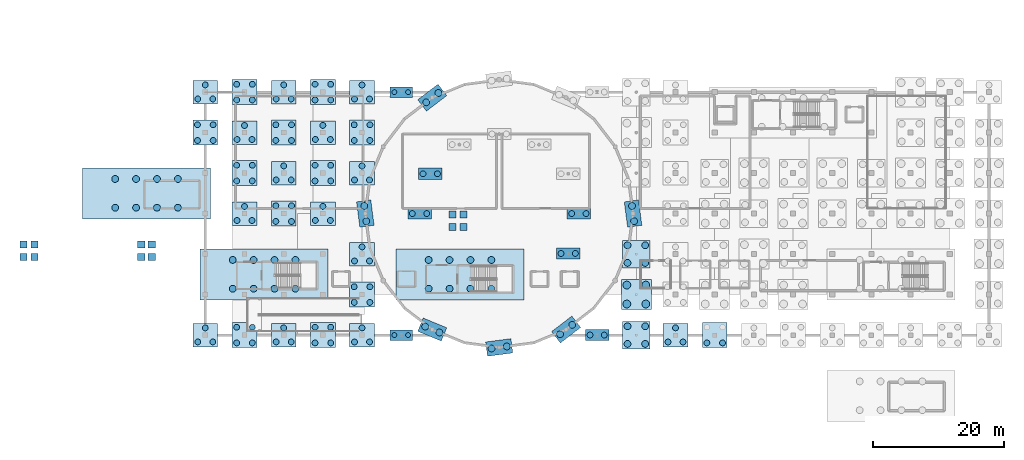
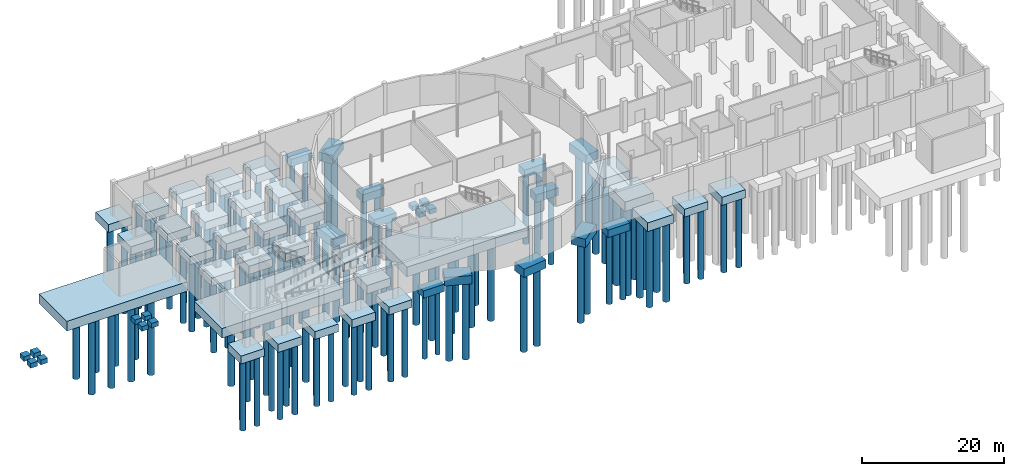
# One storey, part 1 of 19: 150 piles, 57 footings.
"""IFC4 building model written with IfcOpenShell, lengths in metres."""

from ifc_helpers import new_model, si_unit, direction, frame, origin, origin_2d, place, context, subcontext, project, spatial, rectangle, circle, extrude, material, layer, layer_set, material_profile, profile_set, type_object, element, save


model = new_model("IFC4")

# Units and contexts
model_context = context("Model", 3, precision=1e-05, world=origin(), true_north=direction((0.0, 1.0)))
body_context = subcontext(model_context, "Body", "Model", "MODEL_VIEW")
ifc_project = project(units=[si_unit("LENGTHUNIT", "METRE"), si_unit("AREAUNIT", "SQUARE_METRE"), si_unit("VOLUMEUNIT", "CUBIC_METRE"), si_unit("PLANEANGLEUNIT", "RADIAN"), si_unit("MASSUNIT", "GRAM", prefix="KILO")], contexts=[model_context])

# Site, building, storey
site_placement = place(None, origin())
site = spatial("IfcSite", under=ifc_project, at=site_placement, CompositionType="ELEMENT")
building_placement = place(site_placement, origin())
building = spatial("IfcBuilding", under=site, at=building_placement, Name="Mirzam Square Science Centre", CompositionType="ELEMENT")
storey_placement = place(building_placement, frame((0.0, 0.0, -5.39990234375)))
storey = spatial("IfcBuildingStorey", under=building, at=storey_placement, Name="B01", CompositionType="ELEMENT", Elevation=-5.39990234375)

# Footings
ifc_material = material(Name="Concrete C45/55", Category="concrete")
ifc_layer_1 = layer(ifc_material, 1.25)
ifc_layer_set_1 = layer_set([ifc_layer_1], Name="PC-2P-3400x1600")
footing_type_1 = type_object("IfcFootingType", Name="PC-2P-3400x1600", PredefinedType="PILE_CAP", material=ifc_layer_set_1)
for number, where, z_axis, x_axis, name in (
    (1, (66.0, 43.39990234375, -1.650146484375), (0.0, 0.0, 1.0), (1.0, 0.0, 0.0), "Pile cap G12-08"),
    (2, (66.0, 80.60009765625, -1.650146484375), (0.0, 0.0, 1.0), (1.0, 0.0, 0.0), "Pile cap G12-14"),
):
    element("IfcFooting", number, at=place(storey_placement, frame(where, z_axis=z_axis, x_axis=x_axis)), inside=storey, type_object=footing_type_1, Name=name, PredefinedType="PILE_CAP", context=body_context, shape_type="SweptSolid", body=[
        extrude(rectangle(XDim=3.39990234375, YDim=1.60009765625, at=origin_2d()), origin(), (0.0, 0.0, 1.0), 1.25),
    ])
ifc_layer_2 = layer(ifc_material, 1.300048828125)
ifc_layer_set_2 = layer_set([ifc_layer_2], Name="PC-2P-3600x1700")
footing_type_2 = type_object("IfcFootingType", Name="PC-2P-3600x1700", PredefinedType="PILE_CAP", material=ifc_layer_set_2)
for number, where, z_axis, x_axis, name in (
    (3, (96.0, 43.39990234375, -1.7001953125), (0.0, 0.0, 1.0), (1.0, 0.0, 0.0), "Pile cap G17-08"),
    (4, (93.199951171875, 62.0, -1.7001953125), (0.0, 0.0, 1.0), (1.0, 0.0, 0.0), "Inner drum cap 01"),
    (5, (70.4345703125, 68.10009765625, -1.7001953125), (0.0, 0.0, 1.0), (1.0, 0.0, 0.0), "Inner drum cap 06"),
    (6, (68.800048828125, 62.0, -1.7001953125), (0.0, 0.0, 1.0), (1.0, 0.0, 0.0), "Inner drum cap 07"),
    (7, (91.5654296875, 55.89990234375, -1.7001953125), (0.0, 0.0, 1.0), (1.0, 0.0, 0.0), "Inner drum cap 12"),
):
    element("IfcFooting", number, at=place(storey_placement, frame(where, z_axis=z_axis, x_axis=x_axis)), inside=storey, type_object=footing_type_2, Name=name, PredefinedType="PILE_CAP", context=body_context, shape_type="SweptSolid", body=[
        extrude(rectangle(XDim=3.60009765625, YDim=1.699951171875, at=origin_2d()), origin(), (0.0, 0.0, 1.0), 1.300048828125),
    ])
ifc_layer_3 = layer(ifc_material, 1.35009765625)
ifc_layer_set_3 = layer_set([ifc_layer_3], Name="PC-3P-3800x3400")
footing_type_3 = type_object("IfcFootingType", Name="PC-3P-3800x3400", PredefinedType="PILE_CAP", material=ifc_layer_set_3)
for number, where, z_axis, x_axis, name in (
    (8, (36.0, 43.39990234375, -1.750244140625), (0.0, 0.0, 1.0), (1.0, 0.0, 0.0), "Pile cap G07-08"),
    (9, (36.0, 80.60009765625, -1.750244140625), (0.0, 0.0, 1.0), (1.0, 0.0, 0.0), "Pile cap G07-14"),
    (10, (42.0, 62.0, -1.750244140625), (0.0, 0.0, 1.0), (1.0, 0.0, 0.0), "Pile cap G08-11"),
    (11, (42.0, 74.39990234375, -1.750244140625), (0.0, 0.0, 1.0), (1.0, 0.0, 0.0), "Pile cap G08-13"),
    (12, (48.0, 43.39990234375, -1.750244140625), (0.0, 0.0, 1.0), (1.0, 0.0, 0.0), "Pile cap G09-08"),
    (13, (48.0, 68.199951171875, -1.750244140625), (0.0, 0.0, 1.0), (1.0, 0.0, 0.0), "Pile cap G09-12"),
    (14, (48.0, 80.60009765625, -1.750244140625), (0.0, 0.0, 1.0), (1.0, 0.0, 0.0), "Pile cap G09-14"),
    (15, (54.0, 62.0, -1.750244140625), (0.0, 0.0, 1.0), (1.0, 0.0, 0.0), "Pile cap G10-11"),
    (16, (54.0, 74.39990234375, -1.750244140625), (0.0, 0.0, 1.0), (1.0, 0.0, 0.0), "Pile cap G10-13"),
    (17, (60.0, 43.39990234375, -1.750244140625), (0.0, 0.0, 1.0), (1.0, 0.0, 0.0), "Pile cap G11-08"),
    (18, (60.0, 55.800048828125, -1.750244140625), (0.0, 0.0, 1.0), (1.0, 0.0, 0.0), "Pile cap G11-10"),
    (19, (60.0, 68.199951171875, -1.750244140625), (0.0, 0.0, 1.0), (1.0, 0.0, 0.0), "Pile cap G11-12"),
    (20, (60.0, 80.60009765625, -1.750244140625), (0.0, 0.0, 1.0), (1.0, 0.0, 0.0), "Pile cap G11-14"),
    (21, (108.0, 43.39990234375, -1.750244140625), (0.0, 0.0, 1.0), (1.0, 0.0, 0.0), "Pile cap G19-08"),
):
    element("IfcFooting", number, at=place(storey_placement, frame(where, z_axis=z_axis, x_axis=x_axis)), inside=storey, type_object=footing_type_3, Name=name, PredefinedType="PILE_CAP", context=body_context, shape_type="SweptSolid", body=[
        extrude(rectangle(XDim=3.800048828125, YDim=3.60009765625, at=origin_2d()), origin(), (0.0, 0.0, 1.0), 1.35009765625),
    ])
ifc_layer_4 = layer(ifc_material, 1.39990234375)
ifc_layer_set_4 = layer_set([ifc_layer_4], Name="PC-4P-3800x3800")
footing_type_4 = type_object("IfcFootingType", Name="PC-4P-3800x3800", PredefinedType="PILE_CAP", material=ifc_layer_set_4)
for number, where, z_axis, x_axis, name in (
    (22, (36.0, 74.39990234375, -1.800048828125), (0.0, 0.0, 1.0), (1.0, 0.0, 0.0), "Pile cap G07-13"),
    (23, (42.0, 43.39990234375, -1.800048828125), (0.0, 0.0, 1.0), (1.0, 0.0, 0.0), "Pile cap G08-08"),
    (24, (42.0, 68.199951171875, -1.800048828125), (0.0, 0.0, 1.0), (1.0, 0.0, 0.0), "Pile cap G08-12"),
    (25, (42.0, 80.60009765625, -1.800048828125), (0.0, 0.0, 1.0), (1.0, 0.0, 0.0), "Pile cap G08-14"),
    (26, (48.0, 62.0, -1.800048828125), (0.0, 0.0, 1.0), (1.0, 0.0, 0.0), "Pile cap G09-11"),
    (27, (48.0, 74.39990234375, -1.800048828125), (0.0, 0.0, 1.0), (1.0, 0.0, 0.0), "Pile cap G09-13"),
    (28, (54.0, 43.39990234375, -1.800048828125), (0.0, 0.0, 1.0), (1.0, 0.0, 0.0), "Pile cap G10-08"),
    (29, (54.0, 68.199951171875, -1.800048828125), (0.0, 0.0, 1.0), (1.0, 0.0, 0.0), "Pile cap G10-12"),
    (30, (54.0, 80.60009765625, -1.800048828125), (0.0, 0.0, 1.0), (1.0, 0.0, 0.0), "Pile cap G10-14"),
    (31, (60.0, 49.60009765625, -1.800048828125), (0.0, 0.0, 1.0), (1.0, 0.0, 0.0), "Pile cap G11-09"),
    (32, (60.0, 74.39990234375, -1.800048828125), (0.0, 0.0, 1.0), (1.0, 0.0, 0.0), "Pile cap G11-13"),
    (33, (114.0, 43.39990234375, -1.800048828125), (0.0, 0.0, 1.0), (1.0, 0.0, 0.0), "Pile cap G20-08"),
):
    element("IfcFooting", number, at=place(storey_placement, frame(where, z_axis=z_axis, x_axis=x_axis)), inside=storey, type_object=footing_type_4, Name=name, PredefinedType="PILE_CAP", context=body_context, shape_type="SweptSolid", body=[
        extrude(rectangle(XDim=3.800048828125, YDim=3.800048828125, at=origin_2d()), origin(), (0.0, 0.0, 1.0), 1.39990234375),
    ])
ifc_layer_5 = layer(ifc_material, 1.5)
ifc_layer_set_5 = layer_set([ifc_layer_5], Name="PC-4P-4200x4200")
footing_type_5 = type_object("IfcFootingType", Name="PC-4P-4200x4200", PredefinedType="PILE_CAP", material=ifc_layer_set_5)
for number, where, z_axis, x_axis, name in (
    (34, (102.0, 43.39990234375, -1.900146484375), (0.0, 0.0, 1.0), (1.0, 0.0, 0.0), "Pile cap G18-08"),
    (35, (102.0, 55.800048828125, -1.900146484375), (0.0, 0.0, 1.0), (1.0, 0.0, 0.0), "Pile cap G18-10"),
):
    element("IfcFooting", number, at=place(storey_placement, frame(where, z_axis=z_axis, x_axis=x_axis)), inside=storey, type_object=footing_type_5, Name=name, PredefinedType="PILE_CAP", context=body_context, shape_type="SweptSolid", body=[
        extrude(rectangle(XDim=4.199951171875, YDim=4.199951171875, at=origin_2d()), origin(), (0.0, 0.0, 1.0), 1.5),
    ])
ifc_layer_6 = layer(ifc_material, 1.60009765625)
ifc_layer_set_6 = layer_set([ifc_layer_6], Name="PC-4P-4500x4500")
footing_type_6 = type_object("IfcFootingType", Name="PC-4P-4500x4500", PredefinedType="PILE_CAP", material=ifc_layer_set_6)
footing_placement = place(storey_placement, frame((102.0, 49.60009765625, -2.000244140625), z_axis=(0.0, 0.0, 1.0), x_axis=(1.0, 0.0, 0.0)))
element("IfcFooting", 36, at=footing_placement, inside=storey, type_object=footing_type_6, Name="Pile cap G18-09", PredefinedType="PILE_CAP", context=body_context, shape_type="SweptSolid", body=[
    extrude(rectangle(XDim=4.60009765625, YDim=4.60009765625, at=origin_2d()), origin(), (0.0, 0.0, 1.0), 1.60009765625),
])
ifc_layer_7 = layer(ifc_material, 1.64990234375)
ifc_layer_set_7 = layer_set([ifc_layer_7], Name="PC-CORE-13600x7600")
footing_type_7 = type_object("IfcFootingType", Name="PC-CORE-13600x7600", PredefinedType="PILE_CAP", material=ifc_layer_set_7)
for number, where, z_axis, x_axis, name in (
    (37, (45.0, 52.699951171875, -2.050048828125), (0.0, 0.0, 1.0), (1.0, 0.0, 0.0), "Core mat pile cap CORE-1"),
    (38, (27.0, 65.10009765625, -2.050048828125), (0.0, 0.0, 1.0), (1.0, 0.0, 0.0), "Core mat pile cap CORE-2"),
    (39, (75.0, 52.699951171875, -2.050048828125), (0.0, 0.0, 1.0), (1.0, 0.0, 0.0), "Core mat pile cap CORE-3"),
):
    element("IfcFooting", number, at=place(storey_placement, frame(where, z_axis=z_axis, x_axis=x_axis)), inside=storey, type_object=footing_type_7, Name=name, PredefinedType="PILE_CAP", context=body_context, shape_type="SweptSolid", body=[
        extrude(rectangle(XDim=19.60009765625, YDim=7.800048828125, at=origin_2d()), origin(), (0.0, 0.0, 1.0), 1.64990234375),
    ])
ifc_layer_8 = layer(ifc_material, 1.449951171875)
ifc_layer_set_8 = layer_set([ifc_layer_8], Name="PC-DRUM-3800x2200")
footing_type_8 = type_object("IfcFootingType", Name="PC-DRUM-3800x2200", PredefinedType="PILE_CAP", material=ifc_layer_set_8)
for number, where, z_axis, x_axis, name in (
    (40, (101.5, 62.0, -1.85009765625), (0.0, 0.0, 1.0), (-0.13052619222, 0.991444861374, 0.0), "Drum pile cap 01"),
    (41, (70.75, 79.75341796875, -1.85009765625), (0.0, 0.0, 1.0), (-0.793353340291, -0.608761429009, 0.0), "Drum pile cap 09"),
    (42, (60.5, 62.0, -1.85009765625), (0.0, 0.0, 1.0), (0.13052619222, -0.991444861374, 0.0), "Drum pile cap 13"),
    (43, (70.75, 44.24658203125, -1.85009765625), (0.0, 0.0, 1.0), (0.923879532511, -0.382683432365, 0.0), "Drum pile cap 17"),
    (44, (81.0, 41.5, -1.85009765625), (0.0, 0.0, 1.0), (0.991444861374, 0.13052619222, 0.0), "Drum pile cap 19"),
    (45, (91.25, 44.24658203125, -1.85009765625), (0.0, 0.0, 1.0), (0.793353340291, 0.608761429009, 0.0), "Drum pile cap 21"),
):
    element("IfcFooting", number, at=place(storey_placement, frame(where, z_axis=z_axis, x_axis=x_axis)), inside=storey, type_object=footing_type_8, Name=name, PredefinedType="PILE_CAP", context=body_context, shape_type="SweptSolid", body=[
        extrude(rectangle(XDim=3.89990234375, YDim=2.199951171875, at=origin_2d()), origin(), (0.0, 0.0, 1.0), 1.449951171875),
    ])
ifc_layer_9 = layer(ifc_material, 0.800048828125)
ifc_layer_set_9 = layer_set([ifc_layer_9], Name="PF-COL-1800")
footing_type_9 = type_object("IfcFootingType", Name="PF-COL-1800", PredefinedType="PAD_FOOTING", material=ifc_layer_set_9)
for number, where, z_axis, x_axis, name in (
    (46, (73.85009765625, 59.949951171875, -1.2001953125), (0.0, 0.0, 1.0), (1.0, 0.0, 0.0), "ST-07 landing post footing 1"),
    (47, (75.550048828125, 59.949951171875, -1.2001953125), (0.0, 0.0, 1.0), (1.0, 0.0, 0.0), "ST-07 landing post footing 2"),
    (48, (73.85009765625, 61.85009765625, -1.2001953125), (0.0, 0.0, 1.0), (1.0, 0.0, 0.0), "ST-07 landing post footing 3"),
    (49, (75.550048828125, 61.85009765625, -1.2001953125), (0.0, 0.0, 1.0), (1.0, 0.0, 0.0), "ST-07 landing post footing 4"),
    (50, (8.175048828125, 55.35009765625, -1.2001953125), (0.0, 0.0, 1.0), (1.0, 0.0, 0.0), "ST-08 landing post footing 1"),
    (51, (9.824951171875, 55.35009765625, -1.2001953125), (0.0, 0.0, 1.0), (1.0, 0.0, 0.0), "ST-08 landing post footing 2"),
    (52, (8.175048828125, 57.25, -1.2001953125), (0.0, 0.0, 1.0), (1.0, 0.0, 0.0), "ST-08 landing post footing 3"),
    (53, (9.824951171875, 57.25, -1.2001953125), (0.0, 0.0, 1.0), (1.0, 0.0, 0.0), "ST-08 landing post footing 4"),
    (54, (26.199951171875, 55.35009765625, -1.2001953125), (0.0, 0.0, 1.0), (1.0, 0.0, 0.0), "ST-09 landing post footing 1"),
    (55, (27.800048828125, 55.35009765625, -1.2001953125), (0.0, 0.0, 1.0), (1.0, 0.0, 0.0), "ST-09 landing post footing 2"),
    (56, (26.199951171875, 57.25, -1.2001953125), (0.0, 0.0, 1.0), (1.0, 0.0, 0.0), "ST-09 landing post footing 3"),
    (57, (27.800048828125, 57.25, -1.2001953125), (0.0, 0.0, 1.0), (1.0, 0.0, 0.0), "ST-09 landing post footing 4"),
):
    element("IfcFooting", number, at=place(storey_placement, frame(where, z_axis=z_axis, x_axis=x_axis)), inside=storey, type_object=footing_type_9, Name=name, PredefinedType="PAD_FOOTING", context=body_context, shape_type="SweptSolid", body=[
        extrude(rectangle(XDim=1.10009765625, YDim=1.10009765625, at=origin_2d()), origin(), (0.0, 0.0, 1.0), 0.800048828125),
    ])

# Piles
ifc_material_profile_1 = material_profile(ifc_material, circle(Radius=0.52490234375, at=origin_2d()), Name="PILE-D1050")
ifc_profile_set_1 = profile_set([ifc_material_profile_1], Name="Concrete C45/55")
pile_type_1 = type_object("IfcPileType", Name="PL-1050", PredefinedType="BORED", material=ifc_profile_set_1)
for number, where, z_axis, x_axis, name in (
    (58, (40.199951171875, 50.5, -1.9501953125), (0.0, 0.0, -1.0), (1.0, 0.0, 0.0), "Core pile CORE-1-1"),
    (59, (43.39990234375, 50.5, -1.9501953125), (0.0, 0.0, -1.0), (1.0, 0.0, 0.0), "Core pile CORE-1-2"),
    (60, (46.60009765625, 50.5, -1.9501953125), (0.0, 0.0, -1.0), (1.0, 0.0, 0.0), "Core pile CORE-1-3"),
    (61, (49.800048828125, 50.5, -1.9501953125), (0.0, 0.0, -1.0), (1.0, 0.0, 0.0), "Core pile CORE-1-4"),
    (62, (40.199951171875, 54.89990234375, -1.9501953125), (0.0, 0.0, -1.0), (1.0, 0.0, 0.0), "Core pile CORE-1-5"),
    (63, (43.39990234375, 54.89990234375, -1.9501953125), (0.0, 0.0, -1.0), (1.0, 0.0, 0.0), "Core pile CORE-1-6"),
    (64, (46.60009765625, 54.89990234375, -1.9501953125), (0.0, 0.0, -1.0), (1.0, 0.0, 0.0), "Core pile CORE-1-7"),
    (65, (49.800048828125, 54.89990234375, -1.9501953125), (0.0, 0.0, -1.0), (1.0, 0.0, 0.0), "Core pile CORE-1-8"),
    (66, (22.199951171875, 62.89990234375, -1.9501953125), (0.0, 0.0, -1.0), (1.0, 0.0, 0.0), "Core pile CORE-2-1"),
    (67, (25.39990234375, 62.89990234375, -1.9501953125), (0.0, 0.0, -1.0), (1.0, 0.0, 0.0), "Core pile CORE-2-2"),
    (68, (28.60009765625, 62.89990234375, -1.9501953125), (0.0, 0.0, -1.0), (1.0, 0.0, 0.0), "Core pile CORE-2-3"),
    (69, (31.800048828125, 62.89990234375, -1.9501953125), (0.0, 0.0, -1.0), (1.0, 0.0, 0.0), "Core pile CORE-2-4"),
    (70, (22.199951171875, 67.300048828125, -1.9501953125), (0.0, 0.0, -1.0), (1.0, 0.0, 0.0), "Core pile CORE-2-5"),
    (71, (25.39990234375, 67.300048828125, -1.9501953125), (0.0, 0.0, -1.0), (1.0, 0.0, 0.0), "Core pile CORE-2-6"),
    (72, (28.60009765625, 67.300048828125, -1.9501953125), (0.0, 0.0, -1.0), (1.0, 0.0, 0.0), "Core pile CORE-2-7"),
    (73, (31.800048828125, 67.300048828125, -1.9501953125), (0.0, 0.0, -1.0), (1.0, 0.0, 0.0), "Core pile CORE-2-8"),
    (74, (70.199951171875, 50.5, -1.9501953125), (0.0, 0.0, -1.0), (1.0, 0.0, 0.0), "Core pile CORE-3-1"),
    (75, (73.39990234375, 50.5, -1.9501953125), (0.0, 0.0, -1.0), (1.0, 0.0, 0.0), "Core pile CORE-3-2"),
    (76, (76.60009765625, 50.5, -1.9501953125), (0.0, 0.0, -1.0), (1.0, 0.0, 0.0), "Core pile CORE-3-3"),
    (77, (79.800048828125, 50.5, -1.9501953125), (0.0, 0.0, -1.0), (1.0, 0.0, 0.0), "Core pile CORE-3-4"),
    (78, (70.199951171875, 54.89990234375, -1.9501953125), (0.0, 0.0, -1.0), (1.0, 0.0, 0.0), "Core pile CORE-3-5"),
    (79, (73.39990234375, 54.89990234375, -1.9501953125), (0.0, 0.0, -1.0), (1.0, 0.0, 0.0), "Core pile CORE-3-6"),
    (80, (76.60009765625, 54.89990234375, -1.9501953125), (0.0, 0.0, -1.0), (1.0, 0.0, 0.0), "Core pile CORE-3-7"),
    (81, (79.800048828125, 54.89990234375, -1.9501953125), (0.0, 0.0, -1.0), (1.0, 0.0, 0.0), "Core pile CORE-3-8"),
    (82, (100.64990234375, 42.050048828125, -1.800048828125), (0.0, 0.0, -1.0), (1.0, 0.0, 0.0), "Bored pile G18-08-1"),
    (83, (103.35009765625, 42.050048828125, -1.800048828125), (0.0, 0.0, -1.0), (1.0, 0.0, 0.0), "Bored pile G18-08-2"),
    (84, (100.64990234375, 44.75, -1.800048828125), (0.0, 0.0, -1.0), (1.0, 0.0, 0.0), "Bored pile G18-08-3"),
    (85, (103.35009765625, 44.75, -1.800048828125), (0.0, 0.0, -1.0), (1.0, 0.0, 0.0), "Bored pile G18-08-4"),
    (86, (100.64990234375, 54.449951171875, -1.800048828125), (0.0, 0.0, -1.0), (1.0, 0.0, 0.0), "Bored pile G18-10-1"),
    (87, (103.35009765625, 54.449951171875, -1.800048828125), (0.0, 0.0, -1.0), (1.0, 0.0, 0.0), "Bored pile G18-10-2"),
    (88, (100.64990234375, 57.14990234375, -1.800048828125), (0.0, 0.0, -1.0), (1.0, 0.0, 0.0), "Bored pile G18-10-3"),
    (89, (103.35009765625, 57.14990234375, -1.800048828125), (0.0, 0.0, -1.0), (1.0, 0.0, 0.0), "Bored pile G18-10-4"),
    (90, (101.6533203125, 60.835205078125, -1.75), (0.0, 0.0, -1.0), (1.0, 0.0, 0.0), "Drum pile 01-1"),
    (91, (101.3466796875, 63.164794921875, -1.75), (0.0, 0.0, -1.0), (1.0, 0.0, 0.0), "Drum pile 01-2"),
    (92, (71.68212890625, 80.46875, -1.75), (0.0, 0.0, -1.0), (1.0, 0.0, 0.0), "Drum pile 09-1"),
    (93, (69.81787109375, 79.0380859375, -1.75), (0.0, 0.0, -1.0), (1.0, 0.0, 0.0), "Drum pile 09-2"),
    (94, (60.3466796875, 63.164794921875, -1.75), (0.0, 0.0, -1.0), (1.0, 0.0, 0.0), "Drum pile 13-1"),
    (95, (60.6533203125, 60.835205078125, -1.75), (0.0, 0.0, -1.0), (1.0, 0.0, 0.0), "Drum pile 13-2"),
    (96, (69.664306640625, 44.6962890625, -1.75), (0.0, 0.0, -1.0), (1.0, 0.0, 0.0), "Drum pile 17-1"),
    (97, (71.835693359375, 43.796875, -1.75), (0.0, 0.0, -1.0), (1.0, 0.0, 0.0), "Drum pile 17-2"),
    (98, (79.835205078125, 41.3466796875, -1.75), (0.0, 0.0, -1.0), (1.0, 0.0, 0.0), "Drum pile 19-1"),
    (99, (82.164794921875, 41.6533203125, -1.75), (0.0, 0.0, -1.0), (1.0, 0.0, 0.0), "Drum pile 19-2"),
    (100, (90.31787109375, 43.53125, -1.75), (0.0, 0.0, -1.0), (1.0, 0.0, 0.0), "Drum pile 21-1"),
    (101, (92.18212890625, 44.9619140625, -1.75), (0.0, 0.0, -1.0), (1.0, 0.0, 0.0), "Drum pile 21-2"),
):
    element("IfcPile", number, at=place(storey_placement, frame(where, z_axis=z_axis, x_axis=x_axis)), inside=storey, type_object=pile_type_1, Name=name, PredefinedType="BORED", context=body_context, shape_type="SweptSolid", body=[
        extrude(circle(Radius=0.52490234375, at=origin_2d()), origin(), (0.0, 0.0, 1.0), 13.5),
    ])
ifc_material_profile_2 = material_profile(ifc_material, circle(Radius=0.60009765625, at=origin_2d()), Name="PILE-D1200")
ifc_profile_set_2 = profile_set([ifc_material_profile_2], Name="Concrete C45/55")
pile_type_2 = type_object("IfcPileType", Name="PL-1200", PredefinedType="BORED", material=ifc_profile_set_2)
for number, where, z_axis, x_axis, name in (
    (102, (100.550048828125, 48.14990234375, -1.900146484375), (0.0, 0.0, -1.0), (1.0, 0.0, 0.0), "Bored pile G18-09-1"),
    (103, (103.449951171875, 48.14990234375, -1.900146484375), (0.0, 0.0, -1.0), (1.0, 0.0, 0.0), "Bored pile G18-09-2"),
    (104, (100.550048828125, 51.050048828125, -1.900146484375), (0.0, 0.0, -1.0), (1.0, 0.0, 0.0), "Bored pile G18-09-3"),
    (105, (103.449951171875, 51.050048828125, -1.900146484375), (0.0, 0.0, -1.0), (1.0, 0.0, 0.0), "Bored pile G18-09-4"),
):
    element("IfcPile", number, at=place(storey_placement, frame(where, z_axis=z_axis, x_axis=x_axis)), inside=storey, type_object=pile_type_2, Name=name, PredefinedType="BORED", context=body_context, shape_type="SweptSolid", body=[
        extrude(circle(Radius=0.60009765625, at=origin_2d()), origin(), (0.0, 0.0, 1.0), 15.0),
    ])
ifc_material_profile_3 = material_profile(ifc_material, circle(Radius=0.375, at=origin_2d()), Name="PILE-D750")
ifc_profile_set_3 = profile_set([ifc_material_profile_3], Name="Concrete C45/55")
pile_type_3 = type_object("IfcPileType", Name="PL-750", PredefinedType="BORED", material=ifc_profile_set_3)
for number, where, z_axis, x_axis, name in (
    (106, (64.949951171875, 43.39990234375, -1.550048828125), (0.0, 0.0, -1.0), (1.0, 0.0, 0.0), "Bored pile G12-08-1"),
    (107, (67.050048828125, 43.39990234375, -1.550048828125), (0.0, 0.0, -1.0), (1.0, 0.0, 0.0), "Bored pile G12-08-2"),
    (108, (64.949951171875, 80.60009765625, -1.550048828125), (0.0, 0.0, -1.0), (1.0, 0.0, 0.0), "Bored pile G12-14-1"),
    (109, (67.050048828125, 80.60009765625, -1.550048828125), (0.0, 0.0, -1.0), (1.0, 0.0, 0.0), "Bored pile G12-14-2"),
):
    element("IfcPile", number, at=place(storey_placement, frame(where, z_axis=z_axis, x_axis=x_axis)), inside=storey, type_object=pile_type_3, Name=name, PredefinedType="BORED", context=body_context, shape_type="SweptSolid", body=[
        extrude(circle(Radius=0.375, at=origin_2d()), origin(), (0.0, 0.0, 1.0), 11.0),
    ])
ifc_material_profile_4 = material_profile(ifc_material, circle(Radius=0.449951171875, at=origin_2d()), Name="PILE-D900")
ifc_profile_set_4 = profile_set([ifc_material_profile_4], Name="Concrete C45/55")
pile_type_4 = type_object("IfcPileType", Name="PL-900", PredefinedType="BORED", material=ifc_profile_set_4)
for number, where, z_axis, x_axis, name in (
    (110, (34.85009765625, 42.35009765625, -1.650146484375), (0.0, 0.0, -1.0), (1.0, 0.0, 0.0), "Bored pile G07-08-1"),
    (111, (37.14990234375, 42.35009765625, -1.650146484375), (0.0, 0.0, -1.0), (1.0, 0.0, 0.0), "Bored pile G07-08-2"),
    (112, (36.0, 44.5, -1.650146484375), (0.0, 0.0, -1.0), (1.0, 0.0, 0.0), "Bored pile G07-08-3"),
    (113, (34.800048828125, 73.199951171875, -1.7001953125), (0.0, 0.0, -1.0), (1.0, 0.0, 0.0), "Bored pile G07-13-1"),
    (114, (37.199951171875, 73.199951171875, -1.7001953125), (0.0, 0.0, -1.0), (1.0, 0.0, 0.0), "Bored pile G07-13-2"),
    (115, (34.800048828125, 75.60009765625, -1.7001953125), (0.0, 0.0, -1.0), (1.0, 0.0, 0.0), "Bored pile G07-13-3"),
    (116, (37.199951171875, 75.60009765625, -1.7001953125), (0.0, 0.0, -1.0), (1.0, 0.0, 0.0), "Bored pile G07-13-4"),
    (117, (34.85009765625, 79.550048828125, -1.650146484375), (0.0, 0.0, -1.0), (1.0, 0.0, 0.0), "Bored pile G07-14-1"),
    (118, (37.14990234375, 79.550048828125, -1.650146484375), (0.0, 0.0, -1.0), (1.0, 0.0, 0.0), "Bored pile G07-14-2"),
    (119, (36.0, 81.699951171875, -1.650146484375), (0.0, 0.0, -1.0), (1.0, 0.0, 0.0), "Bored pile G07-14-3"),
    (120, (40.800048828125, 42.199951171875, -1.7001953125), (0.0, 0.0, -1.0), (1.0, 0.0, 0.0), "Bored pile G08-08-1"),
    (121, (43.199951171875, 42.199951171875, -1.7001953125), (0.0, 0.0, -1.0), (1.0, 0.0, 0.0), "Bored pile G08-08-2"),
    (122, (40.800048828125, 44.60009765625, -1.7001953125), (0.0, 0.0, -1.0), (1.0, 0.0, 0.0), "Bored pile G08-08-3"),
    (123, (43.199951171875, 44.60009765625, -1.7001953125), (0.0, 0.0, -1.0), (1.0, 0.0, 0.0), "Bored pile G08-08-4"),
    (124, (40.85009765625, 60.949951171875, -1.650146484375), (0.0, 0.0, -1.0), (1.0, 0.0, 0.0), "Bored pile G08-11-1"),
    (125, (43.14990234375, 60.949951171875, -1.650146484375), (0.0, 0.0, -1.0), (1.0, 0.0, 0.0), "Bored pile G08-11-2"),
    (126, (42.0, 63.10009765625, -1.650146484375), (0.0, 0.0, -1.0), (1.0, 0.0, 0.0), "Bored pile G08-11-3"),
    (127, (40.800048828125, 67.0, -1.7001953125), (0.0, 0.0, -1.0), (1.0, 0.0, 0.0), "Bored pile G08-12-1"),
    (128, (43.199951171875, 67.0, -1.7001953125), (0.0, 0.0, -1.0), (1.0, 0.0, 0.0), "Bored pile G08-12-2"),
    (129, (40.800048828125, 69.39990234375, -1.7001953125), (0.0, 0.0, -1.0), (1.0, 0.0, 0.0), "Bored pile G08-12-3"),
    (130, (43.199951171875, 69.39990234375, -1.7001953125), (0.0, 0.0, -1.0), (1.0, 0.0, 0.0), "Bored pile G08-12-4"),
    (131, (40.85009765625, 73.35009765625, -1.650146484375), (0.0, 0.0, -1.0), (1.0, 0.0, 0.0), "Bored pile G08-13-1"),
    (132, (43.14990234375, 73.35009765625, -1.650146484375), (0.0, 0.0, -1.0), (1.0, 0.0, 0.0), "Bored pile G08-13-2"),
    (133, (42.0, 75.5, -1.650146484375), (0.0, 0.0, -1.0), (1.0, 0.0, 0.0), "Bored pile G08-13-3"),
    (134, (40.800048828125, 79.39990234375, -1.7001953125), (0.0, 0.0, -1.0), (1.0, 0.0, 0.0), "Bored pile G08-14-1"),
    (135, (43.199951171875, 79.39990234375, -1.7001953125), (0.0, 0.0, -1.0), (1.0, 0.0, 0.0), "Bored pile G08-14-2"),
    (136, (40.800048828125, 81.800048828125, -1.7001953125), (0.0, 0.0, -1.0), (1.0, 0.0, 0.0), "Bored pile G08-14-3"),
    (137, (43.199951171875, 81.800048828125, -1.7001953125), (0.0, 0.0, -1.0), (1.0, 0.0, 0.0), "Bored pile G08-14-4"),
    (138, (46.85009765625, 42.35009765625, -1.650146484375), (0.0, 0.0, -1.0), (1.0, 0.0, 0.0), "Bored pile G09-08-1"),
    (139, (49.14990234375, 42.35009765625, -1.650146484375), (0.0, 0.0, -1.0), (1.0, 0.0, 0.0), "Bored pile G09-08-2"),
    (140, (48.0, 44.5, -1.650146484375), (0.0, 0.0, -1.0), (1.0, 0.0, 0.0), "Bored pile G09-08-3"),
    (141, (46.800048828125, 60.800048828125, -1.7001953125), (0.0, 0.0, -1.0), (1.0, 0.0, 0.0), "Bored pile G09-11-1"),
    (142, (49.199951171875, 60.800048828125, -1.7001953125), (0.0, 0.0, -1.0), (1.0, 0.0, 0.0), "Bored pile G09-11-2"),
    (143, (46.800048828125, 63.199951171875, -1.7001953125), (0.0, 0.0, -1.0), (1.0, 0.0, 0.0), "Bored pile G09-11-3"),
    (144, (49.199951171875, 63.199951171875, -1.7001953125), (0.0, 0.0, -1.0), (1.0, 0.0, 0.0), "Bored pile G09-11-4"),
    (145, (46.85009765625, 67.14990234375, -1.650146484375), (0.0, 0.0, -1.0), (1.0, 0.0, 0.0), "Bored pile G09-12-1"),
    (146, (49.14990234375, 67.14990234375, -1.650146484375), (0.0, 0.0, -1.0), (1.0, 0.0, 0.0), "Bored pile G09-12-2"),
    (147, (48.0, 69.300048828125, -1.650146484375), (0.0, 0.0, -1.0), (1.0, 0.0, 0.0), "Bored pile G09-12-3"),
    (148, (46.800048828125, 73.199951171875, -1.7001953125), (0.0, 0.0, -1.0), (1.0, 0.0, 0.0), "Bored pile G09-13-1"),
    (149, (49.199951171875, 73.199951171875, -1.7001953125), (0.0, 0.0, -1.0), (1.0, 0.0, 0.0), "Bored pile G09-13-2"),
    (150, (46.800048828125, 75.60009765625, -1.7001953125), (0.0, 0.0, -1.0), (1.0, 0.0, 0.0), "Bored pile G09-13-3"),
    (151, (49.199951171875, 75.60009765625, -1.7001953125), (0.0, 0.0, -1.0), (1.0, 0.0, 0.0), "Bored pile G09-13-4"),
    (152, (46.85009765625, 79.550048828125, -1.650146484375), (0.0, 0.0, -1.0), (1.0, 0.0, 0.0), "Bored pile G09-14-1"),
    (153, (49.14990234375, 79.550048828125, -1.650146484375), (0.0, 0.0, -1.0), (1.0, 0.0, 0.0), "Bored pile G09-14-2"),
    (154, (48.0, 81.699951171875, -1.650146484375), (0.0, 0.0, -1.0), (1.0, 0.0, 0.0), "Bored pile G09-14-3"),
    (155, (52.800048828125, 42.199951171875, -1.7001953125), (0.0, 0.0, -1.0), (1.0, 0.0, 0.0), "Bored pile G10-08-1"),
    (156, (55.199951171875, 42.199951171875, -1.7001953125), (0.0, 0.0, -1.0), (1.0, 0.0, 0.0), "Bored pile G10-08-2"),
    (157, (52.800048828125, 44.60009765625, -1.7001953125), (0.0, 0.0, -1.0), (1.0, 0.0, 0.0), "Bored pile G10-08-3"),
    (158, (55.199951171875, 44.60009765625, -1.7001953125), (0.0, 0.0, -1.0), (1.0, 0.0, 0.0), "Bored pile G10-08-4"),
    (159, (52.85009765625, 60.949951171875, -1.650146484375), (0.0, 0.0, -1.0), (1.0, 0.0, 0.0), "Bored pile G10-11-1"),
    (160, (55.14990234375, 60.949951171875, -1.650146484375), (0.0, 0.0, -1.0), (1.0, 0.0, 0.0), "Bored pile G10-11-2"),
    (161, (54.0, 63.10009765625, -1.650146484375), (0.0, 0.0, -1.0), (1.0, 0.0, 0.0), "Bored pile G10-11-3"),
    (162, (52.800048828125, 67.0, -1.7001953125), (0.0, 0.0, -1.0), (1.0, 0.0, 0.0), "Bored pile G10-12-1"),
    (163, (55.199951171875, 67.0, -1.7001953125), (0.0, 0.0, -1.0), (1.0, 0.0, 0.0), "Bored pile G10-12-2"),
    (164, (52.800048828125, 69.39990234375, -1.7001953125), (0.0, 0.0, -1.0), (1.0, 0.0, 0.0), "Bored pile G10-12-3"),
    (165, (55.199951171875, 69.39990234375, -1.7001953125), (0.0, 0.0, -1.0), (1.0, 0.0, 0.0), "Bored pile G10-12-4"),
    (166, (52.85009765625, 73.35009765625, -1.650146484375), (0.0, 0.0, -1.0), (1.0, 0.0, 0.0), "Bored pile G10-13-1"),
    (167, (55.14990234375, 73.35009765625, -1.650146484375), (0.0, 0.0, -1.0), (1.0, 0.0, 0.0), "Bored pile G10-13-2"),
    (168, (54.0, 75.5, -1.650146484375), (0.0, 0.0, -1.0), (1.0, 0.0, 0.0), "Bored pile G10-13-3"),
    (169, (52.800048828125, 79.39990234375, -1.7001953125), (0.0, 0.0, -1.0), (1.0, 0.0, 0.0), "Bored pile G10-14-1"),
    (170, (55.199951171875, 79.39990234375, -1.7001953125), (0.0, 0.0, -1.0), (1.0, 0.0, 0.0), "Bored pile G10-14-2"),
    (171, (52.800048828125, 81.800048828125, -1.7001953125), (0.0, 0.0, -1.0), (1.0, 0.0, 0.0), "Bored pile G10-14-3"),
    (172, (55.199951171875, 81.800048828125, -1.7001953125), (0.0, 0.0, -1.0), (1.0, 0.0, 0.0), "Bored pile G10-14-4"),
    (173, (58.85009765625, 42.35009765625, -1.650146484375), (0.0, 0.0, -1.0), (1.0, 0.0, 0.0), "Bored pile G11-08-1"),
    (174, (61.14990234375, 42.35009765625, -1.650146484375), (0.0, 0.0, -1.0), (1.0, 0.0, 0.0), "Bored pile G11-08-2"),
    (175, (60.0, 44.5, -1.650146484375), (0.0, 0.0, -1.0), (1.0, 0.0, 0.0), "Bored pile G11-08-3"),
    (176, (58.800048828125, 48.39990234375, -1.7001953125), (0.0, 0.0, -1.0), (1.0, 0.0, 0.0), "Bored pile G11-09-1"),
    (177, (61.199951171875, 48.39990234375, -1.7001953125), (0.0, 0.0, -1.0), (1.0, 0.0, 0.0), "Bored pile G11-09-2"),
    (178, (58.800048828125, 50.800048828125, -1.7001953125), (0.0, 0.0, -1.0), (1.0, 0.0, 0.0), "Bored pile G11-09-3"),
    (179, (61.199951171875, 50.800048828125, -1.7001953125), (0.0, 0.0, -1.0), (1.0, 0.0, 0.0), "Bored pile G11-09-4"),
    (180, (58.85009765625, 54.75, -1.650146484375), (0.0, 0.0, -1.0), (1.0, 0.0, 0.0), "Bored pile G11-10-1"),
    (181, (61.14990234375, 54.75, -1.650146484375), (0.0, 0.0, -1.0), (1.0, 0.0, 0.0), "Bored pile G11-10-2"),
    (182, (60.0, 56.89990234375, -1.650146484375), (0.0, 0.0, -1.0), (1.0, 0.0, 0.0), "Bored pile G11-10-3"),
    (183, (58.85009765625, 67.14990234375, -1.650146484375), (0.0, 0.0, -1.0), (1.0, 0.0, 0.0), "Bored pile G11-12-1"),
    (184, (61.14990234375, 67.14990234375, -1.650146484375), (0.0, 0.0, -1.0), (1.0, 0.0, 0.0), "Bored pile G11-12-2"),
    (185, (60.0, 69.300048828125, -1.650146484375), (0.0, 0.0, -1.0), (1.0, 0.0, 0.0), "Bored pile G11-12-3"),
    (186, (58.800048828125, 73.199951171875, -1.7001953125), (0.0, 0.0, -1.0), (1.0, 0.0, 0.0), "Bored pile G11-13-1"),
    (187, (61.199951171875, 73.199951171875, -1.7001953125), (0.0, 0.0, -1.0), (1.0, 0.0, 0.0), "Bored pile G11-13-2"),
    (188, (58.800048828125, 75.60009765625, -1.7001953125), (0.0, 0.0, -1.0), (1.0, 0.0, 0.0), "Bored pile G11-13-3"),
    (189, (61.199951171875, 75.60009765625, -1.7001953125), (0.0, 0.0, -1.0), (1.0, 0.0, 0.0), "Bored pile G11-13-4"),
    (190, (58.85009765625, 79.550048828125, -1.650146484375), (0.0, 0.0, -1.0), (1.0, 0.0, 0.0), "Bored pile G11-14-1"),
    (191, (61.14990234375, 79.550048828125, -1.650146484375), (0.0, 0.0, -1.0), (1.0, 0.0, 0.0), "Bored pile G11-14-2"),
    (192, (60.0, 81.699951171875, -1.650146484375), (0.0, 0.0, -1.0), (1.0, 0.0, 0.0), "Bored pile G11-14-3"),
    (193, (94.89990234375, 43.39990234375, -1.60009765625), (0.0, 0.0, -1.0), (1.0, 0.0, 0.0), "Bored pile G17-08-1"),
    (194, (97.10009765625, 43.39990234375, -1.60009765625), (0.0, 0.0, -1.0), (1.0, 0.0, 0.0), "Bored pile G17-08-2"),
    (195, (106.85009765625, 42.35009765625, -1.650146484375), (0.0, 0.0, -1.0), (1.0, 0.0, 0.0), "Bored pile G19-08-1"),
    (196, (109.14990234375, 42.35009765625, -1.650146484375), (0.0, 0.0, -1.0), (1.0, 0.0, 0.0), "Bored pile G19-08-2"),
    (197, (108.0, 44.5, -1.650146484375), (0.0, 0.0, -1.0), (1.0, 0.0, 0.0), "Bored pile G19-08-3"),
    (198, (112.800048828125, 42.199951171875, -1.7001953125), (0.0, 0.0, -1.0), (1.0, 0.0, 0.0), "Bored pile G20-08-1"),
    (199, (115.199951171875, 42.199951171875, -1.7001953125), (0.0, 0.0, -1.0), (1.0, 0.0, 0.0), "Bored pile G20-08-2"),
    (200, (92.10009765625, 62.0, -1.60009765625), (0.0, 0.0, -1.0), (1.0, 0.0, 0.0), "Inner drum pile 01-1"),
    (201, (94.300048828125, 62.0, -1.60009765625), (0.0, 0.0, -1.0), (1.0, 0.0, 0.0), "Inner drum pile 01-2"),
    (202, (69.33447265625, 68.10009765625, -1.60009765625), (0.0, 0.0, -1.0), (1.0, 0.0, 0.0), "Inner drum pile 06-1"),
    (203, (71.534423828125, 68.10009765625, -1.60009765625), (0.0, 0.0, -1.0), (1.0, 0.0, 0.0), "Inner drum pile 06-2"),
    (204, (67.699951171875, 62.0, -1.60009765625), (0.0, 0.0, -1.0), (1.0, 0.0, 0.0), "Inner drum pile 07-1"),
    (205, (69.89990234375, 62.0, -1.60009765625), (0.0, 0.0, -1.0), (1.0, 0.0, 0.0), "Inner drum pile 07-2"),
    (206, (90.465576171875, 55.89990234375, -1.60009765625), (0.0, 0.0, -1.0), (1.0, 0.0, 0.0), "Inner drum pile 12-1"),
    (207, (92.66552734375, 55.89990234375, -1.60009765625), (0.0, 0.0, -1.0), (1.0, 0.0, 0.0), "Inner drum pile 12-2"),
):
    element("IfcPile", number, at=place(storey_placement, frame(where, z_axis=z_axis, x_axis=x_axis)), inside=storey, type_object=pile_type_4, Name=name, PredefinedType="BORED", context=body_context, shape_type="SweptSolid", body=[
        extrude(circle(Radius=0.449951171875, at=origin_2d()), origin(), (0.0, 0.0, 1.0), 12.0),
    ])

save(model, "model.ifc")
